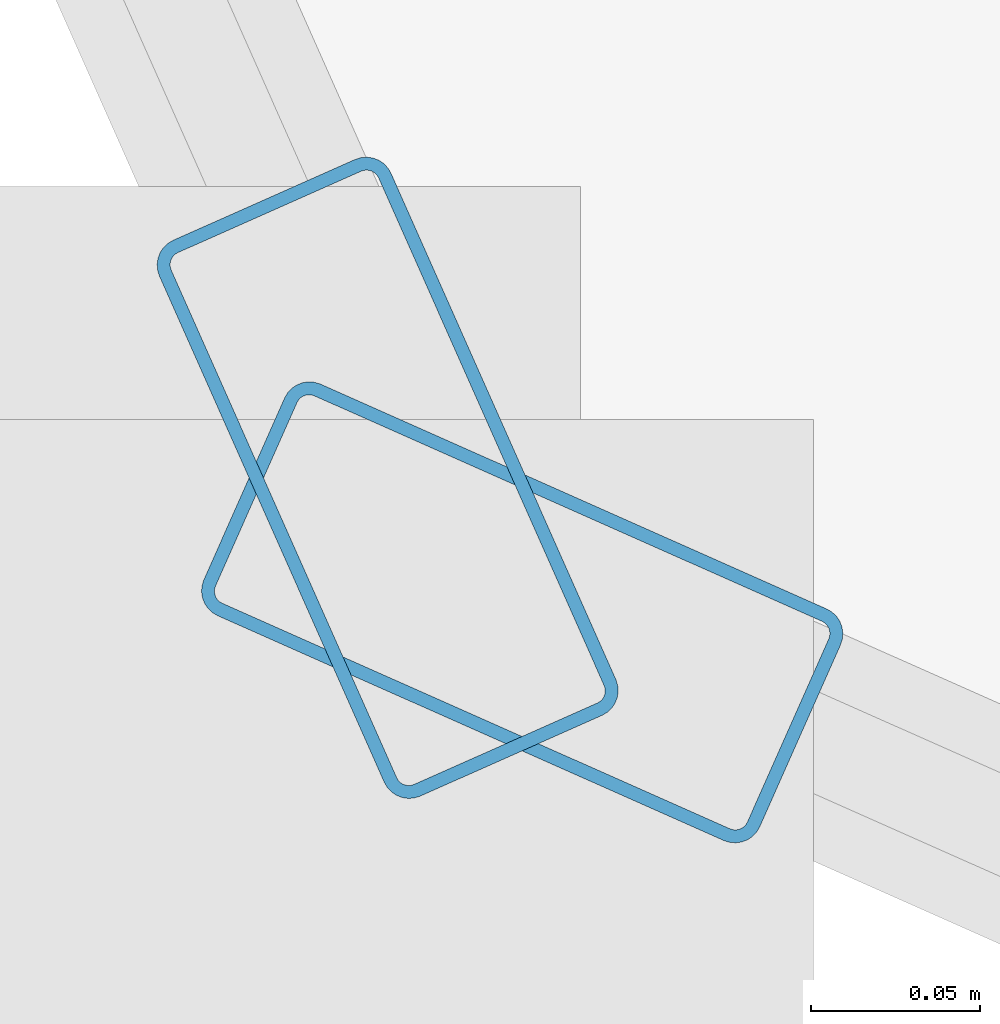
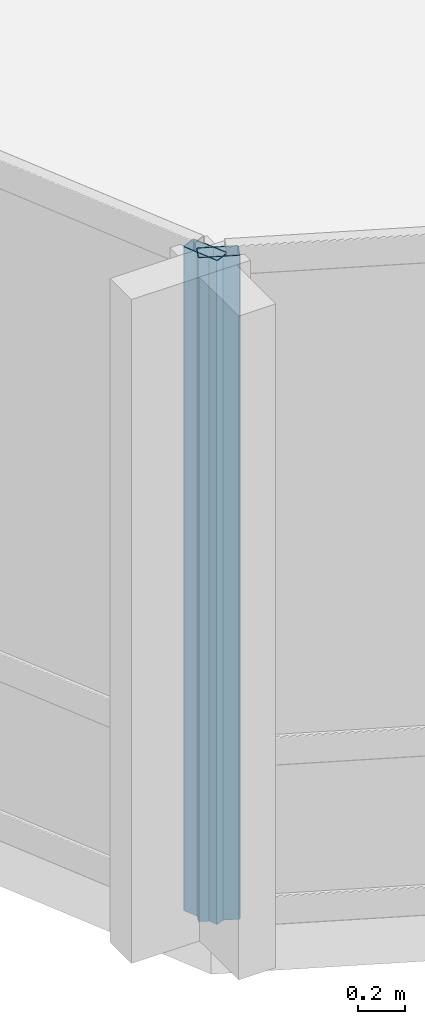
# One storey, part 2 of 34: 2 members, 2 elements without a shape of their own.
"""IFC4 building model written with IfcOpenShell, lengths in metres."""

from ifc_helpers import new_model, si_unit, direction, frame, origin, origin_2d, place, context, subcontext, project, spatial, hollow_rectangle, extrude, material, layer, layer_set, material_profile, profile_set, type_object, element, aggregate, save


model = new_model("IFC4")

# Units and contexts
model_context = context("Model", 3, precision=1e-05, world=origin(), true_north=direction((0.0, 1.0)))
body_context = subcontext(model_context, "Body", "Model", "MODEL_VIEW")
ifc_project = project(units=[si_unit("LENGTHUNIT", "METRE"), si_unit("AREAUNIT", "SQUARE_METRE"), si_unit("VOLUMEUNIT", "CUBIC_METRE"), si_unit("PLANEANGLEUNIT", "RADIAN"), si_unit("MASSUNIT", "GRAM", prefix="KILO")], contexts=[model_context])

# Site, building, storey
site_placement = place(None, origin())
site = spatial("IfcSite", under=ifc_project, at=site_placement, CompositionType="ELEMENT")
building_placement = place(site_placement, origin())
building = spatial("IfcBuilding", under=site, at=building_placement, Name="Solvaryn Broadcast Tower", CompositionType="ELEMENT")
storey_placement = place(building_placement, frame((0.0, 0.0, 76.699951171875)))
storey = spatial("IfcBuildingStorey", under=building, at=storey_placement, Name="L18", CompositionType="ELEMENT", Elevation=76.699951171875)

# Curtain wall, member
ifc_material_1 = material(Name="Aluminium and Terracotta Unitised Curtain Wall", Category="masonry")
ifc_layer = layer(ifc_material_1, 0.199951171875)
ifc_layer_set = layer_set([ifc_layer], Name="CW-SYS2-LOWMID")
curtain_wall_type = type_object("IfcCurtainWallType", Name="CW-SYS2-LOWMID", PredefinedType="NOTDEFINED", material=ifc_layer_set)
curtain_wall_1_placement = place(storey_placement, origin())
curtain_wall_1 = element("IfcCurtainWall", 1, at=curtain_wall_1_placement, inside=storey, type_object=curtain_wall_type, Name="L18 Curtain Wall DR2", PredefinedType="NOTDEFINED")
ifc_material_2 = material(Name="Anodised Aluminium 6063-T6", Category="aluminium")
ifc_material_profile = material_profile(ifc_material_2, hollow_rectangle(XDim=0.074951171875, YDim=0.179931640625, WallThickness=0.00390625, InnerFilletRadius=0.00390625, OuterFilletRadius=0.008056640625, at=origin_2d()))
ifc_profile_set = profile_set([ifc_material_profile], Name="Anodised Aluminium 6063-T6")
member_type = type_object("IfcMemberType", Name="CW-MUL-180", PredefinedType="MULLION", material=ifc_profile_set)
member_1_placement = place(storey_placement, frame((7.834716796875, 7.87451171875, 0.0), z_axis=(0.0, 0.0, 1.0), x_axis=(0.913918257271, 0.405898286554, 0.0)))
member_1 = element("IfcMember", 2, at=member_1_placement, type_object=member_type, Name="CWS2 mullion 2", PredefinedType="MULLION", context=body_context, shape_type="SweptSolid", body=[
    extrude(hollow_rectangle(XDim=0.074951171875, YDim=0.179931640625, WallThickness=0.00390625, InnerFilletRadius=0.00390625, OuterFilletRadius=0.008056640625, at=origin_2d()), origin(), (0.0, 0.0, 1.0), 3.420166015625),
])
aggregate(curtain_wall_1, [member_1])

curtain_wall_2_placement = place(storey_placement, origin())
curtain_wall_2 = element("IfcCurtainWall", 3, at=curtain_wall_2_placement, inside=storey, type_object=curtain_wall_type, Name="L18 Curtain Wall DR3", PredefinedType="NOTDEFINED")
member_2_placement = place(storey_placement, frame((7.87451171875, 7.834716796875, 0.0), z_axis=(0.0, 0.0, 1.0), x_axis=(0.405898286554, 0.913918257271, 0.0)))
member_2 = element("IfcMember", 4, at=member_2_placement, type_object=member_type, Name="CWS2 mullion 1", PredefinedType="MULLION", context=body_context, shape_type="SweptSolid", body=[
    extrude(hollow_rectangle(XDim=0.074951171875, YDim=0.179931640625, WallThickness=0.00390625, InnerFilletRadius=0.00390625, OuterFilletRadius=0.008056640625, at=origin_2d()), origin(), (0.0, 0.0, 1.0), 3.420166015625),
])
aggregate(curtain_wall_2, [member_2])

save(model, "model.ifc")
